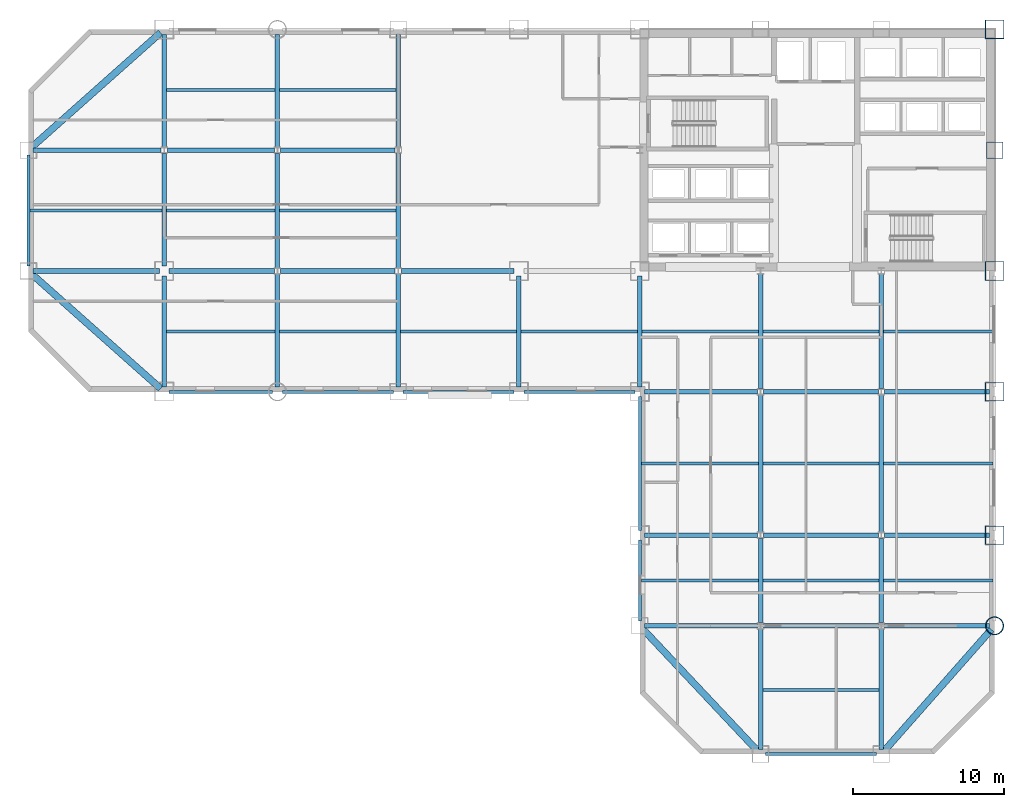
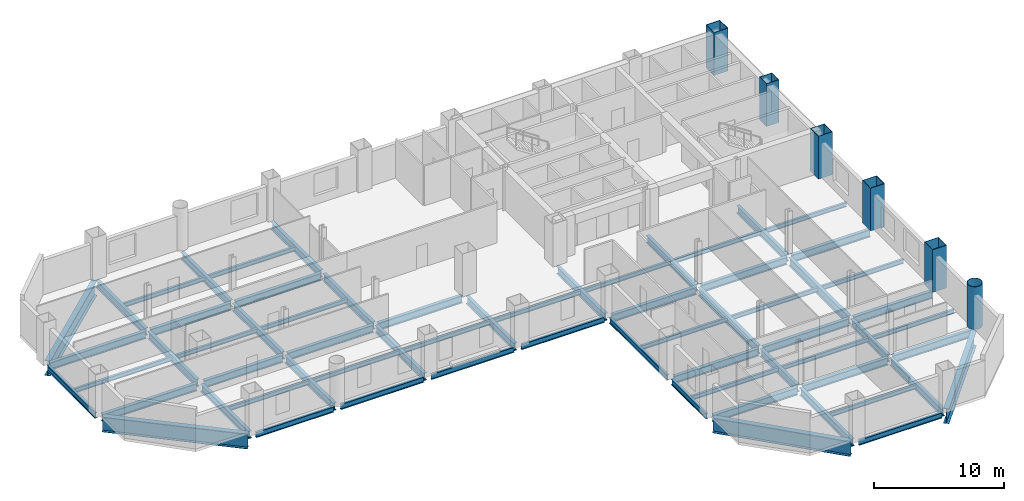
# One storey, part 3 of 9: 66 beams, 6 columns.
"""IFC4 building model written with IfcOpenShell, lengths in metres."""

from ifc_helpers import new_model, si_unit, direction, frame, origin, origin_2d, place, context, subcontext, project, spatial, hollow_rectangle, hollow_circle, i_section, extrude, material, material_profile, profile_set, type_object, element, save


model = new_model("IFC4")

# Units and contexts
model_context = context("Model", 3, precision=1e-05, world=origin(), true_north=direction((0.0, 1.0)))
body_context = subcontext(model_context, "Body", "Model", "MODEL_VIEW")
ifc_project = project(units=[si_unit("LENGTHUNIT", "METRE"), si_unit("AREAUNIT", "SQUARE_METRE"), si_unit("VOLUMEUNIT", "CUBIC_METRE"), si_unit("PLANEANGLEUNIT", "RADIAN"), si_unit("MASSUNIT", "GRAM", prefix="KILO")], contexts=[model_context])

# Site, building, storey
site_placement = place(None, origin())
site = spatial("IfcSite", under=ifc_project, at=site_placement, CompositionType="ELEMENT")
building_placement = place(site_placement, origin())
building = spatial("IfcBuilding", under=site, at=building_placement, Name="Qianrong Seaharbour Tower", CompositionType="ELEMENT")
storey_placement = place(building_placement, frame((0.0, 0.0, 72.199951171875)))
storey = spatial("IfcBuildingStorey", under=building, at=storey_placement, Name="L17", CompositionType="ELEMENT", Elevation=72.199951171875)

# Columns
ifc_material_1 = material(Name="Structural steel SN490B", Category="steel")
ifc_material_profile_1 = material_profile(ifc_material_1, hollow_rectangle(XDim=1.25, YDim=1.25, WallThickness=0.044921875, at=origin_2d()), Name="BOX1250x1250x45")
ifc_profile_set_1 = profile_set([ifc_material_profile_1], Name="Structural steel SN490B")
column_type_1 = type_object("IfcColumnType", Name="COL-CFT-1250", PredefinedType="COLUMN", material=ifc_profile_set_1)
for number, where, z_axis, x_axis, name in (
    (1, (64.0, 18.5, 0.0), (0.0, 0.0, 1.0), (1.0, 0.0, 0.0), "L17 Column MC-2 at G9/GD"),
    (2, (64.0, 28.0, 0.0), (0.0, 0.0, 1.0), (1.0, 0.0, 0.0), "L17 Column MC-2 at G9/GE"),
    (3, (64.0, 36.0, 0.0), (0.0, 0.0, 1.0), (1.0, 0.0, 0.0), "L17 Column MC-2 at G9/GF"),
    (4, (64.0, 52.0, 0.0), (0.0, 0.0, 1.0), (1.0, 0.0, 0.0), "L17 Column MC-2 at G9/GH"),
):
    element("IfcColumn", number, at=place(storey_placement, frame(where, z_axis=z_axis, x_axis=x_axis)), inside=storey, type_object=column_type_1, Name=name, PredefinedType="COLUMN", context=body_context, shape_type="SweptSolid", body=[
        extrude(hollow_rectangle(XDim=1.25, YDim=1.25, WallThickness=0.044921875, at=origin_2d()), origin(), (0.0, 0.0, 1.0), 4.0),
    ])
ifc_material_profile_2 = material_profile(ifc_material_1, hollow_circle(Radius=0.60009765625, WallThickness=0.0400390625, at=origin_2d()), Name="CHS1200x40")
ifc_profile_set_2 = profile_set([ifc_material_profile_2], Name="Structural steel SN490B")
column_type_2 = type_object("IfcColumnType", Name="COL-CHS-1200", PredefinedType="COLUMN", material=ifc_profile_set_2)
column_1_placement = place(storey_placement, frame((64.0, 12.5, 0.0), z_axis=(0.0, 0.0, 1.0), x_axis=(1.0, 0.0, 0.0)))
element("IfcColumn", 5, at=column_1_placement, inside=storey, type_object=column_type_2, Name="L17 Column CC-1 at G9/GC", PredefinedType="COLUMN", context=body_context, shape_type="SweptSolid", body=[
    extrude(hollow_circle(Radius=0.60009765625, WallThickness=0.0400390625, at=origin_2d()), origin(), (0.0, 0.0, 1.0), 4.0),
])
ifc_material_profile_3 = material_profile(ifc_material_1, hollow_rectangle(XDim=1.10009765625, YDim=1.10009765625, WallThickness=0.0400390625, at=origin_2d()), Name="BOX1100x1100x40")
ifc_profile_set_3 = profile_set([ifc_material_profile_3], Name="Structural steel SN490B")
column_type_3 = type_object("IfcColumnType", Name="COL-PER-1100", PredefinedType="COLUMN", material=ifc_profile_set_3)
column_2_placement = place(storey_placement, frame((64.0, 44.0, 0.0), z_axis=(0.0, 0.0, 1.0), x_axis=(1.0, 0.0, 0.0)))
element("IfcColumn", 6, at=column_2_placement, inside=storey, type_object=column_type_3, Name="L17 Column PC-1 at G9/GG", PredefinedType="COLUMN", context=body_context, shape_type="SweptSolid", body=[
    extrude(hollow_rectangle(XDim=1.10009765625, YDim=1.10009765625, WallThickness=0.0400390625, at=origin_2d()), origin(), (0.0, 0.0, 1.0), 4.0),
])

# Beams
ifc_material_profile_4 = material_profile(ifc_material_1, i_section(OverallWidth=0.300048828125, OverallDepth=0.699951171875, WebThickness=0.012939453125, FlangeThickness=0.02392578125, FilletRadius=0.02587890625, at=origin_2d()), Name="H700x300x13x24")
ifc_profile_set_4 = profile_set([ifc_material_profile_4], Name="Structural steel SN490B")
beam_type_1 = type_object("IfcBeamType", Name="BM-G-700", PredefinedType="BEAM", material=ifc_profile_set_4)
beam_1_placement = place(storey_placement, frame((40.820068359375, 12.5, -0.599853515625), z_axis=(1.0, 0.0, 0.0), x_axis=(0.0, 1.0, 0.0)))
element("IfcBeam", 7, at=beam_1_placement, inside=storey, type_object=beam_type_1, Name="L17 Primary Girder GC G6-G7", PredefinedType="BEAM", context=body_context, shape_type="SweptSolid", body=[
    extrude(i_section(OverallWidth=0.300048828125, OverallDepth=0.699951171875, WebThickness=0.012939453125, FlangeThickness=0.02392578125, FilletRadius=0.02587890625, at=origin_2d()), origin(), (0.0, 0.0, 1.0), 7.476318359375),
])
beam_2_placement = place(storey_placement, frame((48.70361328125, 12.5, -0.599853515625), z_axis=(1.0, 0.0, 0.0), x_axis=(0.0, 1.0, 0.0)))
element("IfcBeam", 8, at=beam_2_placement, inside=storey, type_object=beam_type_1, Name="L17 Primary Girder GC G7-G8", PredefinedType="BEAM", context=body_context, shape_type="SweptSolid", body=[
    extrude(i_section(OverallWidth=0.300048828125, OverallDepth=0.699951171875, WebThickness=0.012939453125, FlangeThickness=0.02392578125, FilletRadius=0.02587890625, at=origin_2d()), origin(), (0.0, 0.0, 1.0), 7.5927734375),
])
beam_3_placement = place(storey_placement, frame((56.70361328125, 12.5, -0.599853515625), z_axis=(1.0, 0.0, 0.0), x_axis=(0.0, 1.0, 0.0)))
element("IfcBeam", 9, at=beam_3_placement, inside=storey, type_object=beam_type_1, Name="L17 Primary Girder GC G8-G9", PredefinedType="BEAM", context=body_context, shape_type="SweptSolid", body=[
    extrude(i_section(OverallWidth=0.300048828125, OverallDepth=0.699951171875, WebThickness=0.012939453125, FlangeThickness=0.02392578125, FilletRadius=0.02587890625, at=origin_2d()), origin(), (0.0, 0.0, 1.0), 6.976318359375),
])
beam_4_placement = place(storey_placement, frame((40.820068359375, 18.5, -0.599853515625), z_axis=(1.0, 0.0, 0.0), x_axis=(0.0, 1.0, 0.0)))
element("IfcBeam", 10, at=beam_4_placement, inside=storey, type_object=beam_type_1, Name="L17 Primary Girder GD G6-G7", PredefinedType="BEAM", context=body_context, shape_type="SweptSolid", body=[
    extrude(i_section(OverallWidth=0.300048828125, OverallDepth=0.699951171875, WebThickness=0.012939453125, FlangeThickness=0.02392578125, FilletRadius=0.02587890625, at=origin_2d()), origin(), (0.0, 0.0, 1.0), 7.476318359375),
])
beam_5_placement = place(storey_placement, frame((48.70361328125, 18.5, -0.599853515625), z_axis=(1.0, 0.0, 0.0), x_axis=(0.0, 1.0, 0.0)))
element("IfcBeam", 11, at=beam_5_placement, inside=storey, type_object=beam_type_1, Name="L17 Primary Girder GD G7-G8", PredefinedType="BEAM", context=body_context, shape_type="SweptSolid", body=[
    extrude(i_section(OverallWidth=0.300048828125, OverallDepth=0.699951171875, WebThickness=0.012939453125, FlangeThickness=0.02392578125, FilletRadius=0.02587890625, at=origin_2d()), origin(), (0.0, 0.0, 1.0), 7.5927734375),
])
beam_6_placement = place(storey_placement, frame((56.70361328125, 18.5, -0.599853515625), z_axis=(1.0, 0.0, 0.0), x_axis=(0.0, 1.0, 0.0)))
element("IfcBeam", 12, at=beam_6_placement, inside=storey, type_object=beam_type_1, Name="L17 Primary Girder GD G8-G9", PredefinedType="BEAM", context=body_context, shape_type="SweptSolid", body=[
    extrude(i_section(OverallWidth=0.300048828125, OverallDepth=0.699951171875, WebThickness=0.012939453125, FlangeThickness=0.02392578125, FilletRadius=0.02587890625, at=origin_2d()), origin(), (0.0, 0.0, 1.0), 6.976318359375),
])
beam_7_placement = place(storey_placement, frame((40.820068359375, 28.0, -0.599853515625), z_axis=(1.0, 0.0, 0.0), x_axis=(0.0, 1.0, 0.0)))
element("IfcBeam", 13, at=beam_7_placement, inside=storey, type_object=beam_type_1, Name="L17 Primary Girder GE G6-G7", PredefinedType="BEAM", context=body_context, shape_type="SweptSolid", body=[
    extrude(i_section(OverallWidth=0.300048828125, OverallDepth=0.699951171875, WebThickness=0.012939453125, FlangeThickness=0.02392578125, FilletRadius=0.02587890625, at=origin_2d()), origin(), (0.0, 0.0, 1.0), 7.476318359375),
])
beam_8_placement = place(storey_placement, frame((48.70361328125, 28.0, -0.599853515625), z_axis=(1.0, 0.0, 0.0), x_axis=(0.0, 1.0, 0.0)))
element("IfcBeam", 14, at=beam_8_placement, inside=storey, type_object=beam_type_1, Name="L17 Primary Girder GE G7-G8", PredefinedType="BEAM", context=body_context, shape_type="SweptSolid", body=[
    extrude(i_section(OverallWidth=0.300048828125, OverallDepth=0.699951171875, WebThickness=0.012939453125, FlangeThickness=0.02392578125, FilletRadius=0.02587890625, at=origin_2d()), origin(), (0.0, 0.0, 1.0), 7.5927734375),
])
beam_9_placement = place(storey_placement, frame((56.70361328125, 28.0, -0.599853515625), z_axis=(1.0, 0.0, 0.0), x_axis=(0.0, 1.0, 0.0)))
element("IfcBeam", 15, at=beam_9_placement, inside=storey, type_object=beam_type_1, Name="L17 Primary Girder GE G8-G9", PredefinedType="BEAM", context=body_context, shape_type="SweptSolid", body=[
    extrude(i_section(OverallWidth=0.300048828125, OverallDepth=0.699951171875, WebThickness=0.012939453125, FlangeThickness=0.02392578125, FilletRadius=0.02587890625, at=origin_2d()), origin(), (0.0, 0.0, 1.0), 6.976318359375),
])
beam_10_placement = place(storey_placement, frame((0.320068359375, 36.0, -0.599853515625), z_axis=(1.0, 0.0, 0.0), x_axis=(0.0, 1.0, 0.0)))
element("IfcBeam", 16, at=beam_10_placement, inside=storey, type_object=beam_type_1, Name="L17 Primary Girder GF G1-G2", PredefinedType="BEAM", context=body_context, shape_type="SweptSolid", body=[
    extrude(i_section(OverallWidth=0.300048828125, OverallDepth=0.699951171875, WebThickness=0.012939453125, FlangeThickness=0.02392578125, FilletRadius=0.02587890625, at=origin_2d()), origin(), (0.0, 0.0, 1.0), 8.35986328125),
])
beam_11_placement = place(storey_placement, frame((9.320068359375, 36.0, -0.599853515625), z_axis=(1.0, 0.0, 0.0), x_axis=(0.0, 1.0, 0.0)))
element("IfcBeam", 17, at=beam_11_placement, inside=storey, type_object=beam_type_1, Name="L17 Primary Girder GF G2-G3", PredefinedType="BEAM", context=body_context, shape_type="SweptSolid", body=[
    extrude(i_section(OverallWidth=0.300048828125, OverallDepth=0.699951171875, WebThickness=0.012939453125, FlangeThickness=0.02392578125, FilletRadius=0.02587890625, at=origin_2d()), origin(), (0.0, 0.0, 1.0), 6.976318359375),
])
beam_12_placement = place(storey_placement, frame((16.70361328125, 36.0, -0.599853515625), z_axis=(1.0, 0.0, 0.0), x_axis=(0.0, 1.0, 0.0)))
element("IfcBeam", 18, at=beam_12_placement, inside=storey, type_object=beam_type_1, Name="L17 Primary Girder GF G3-G4", PredefinedType="BEAM", context=body_context, shape_type="SweptSolid", body=[
    extrude(i_section(OverallWidth=0.300048828125, OverallDepth=0.699951171875, WebThickness=0.012939453125, FlangeThickness=0.02392578125, FilletRadius=0.02587890625, at=origin_2d()), origin(), (0.0, 0.0, 1.0), 7.5927734375),
])
beam_13_placement = place(storey_placement, frame((24.70361328125, 36.0, -0.599853515625), z_axis=(1.0, 0.0, 0.0), x_axis=(0.0, 1.0, 0.0)))
element("IfcBeam", 19, at=beam_13_placement, inside=storey, type_object=beam_type_1, Name="L17 Primary Girder GF G4-G5", PredefinedType="BEAM", context=body_context, shape_type="SweptSolid", body=[
    extrude(i_section(OverallWidth=0.300048828125, OverallDepth=0.699951171875, WebThickness=0.012939453125, FlangeThickness=0.02392578125, FilletRadius=0.02587890625, at=origin_2d()), origin(), (0.0, 0.0, 1.0), 7.476318359375),
])
beam_14_placement = place(storey_placement, frame((0.320068359375, 44.0, -0.599853515625), z_axis=(1.0, 0.0, 0.0), x_axis=(0.0, 1.0, 0.0)))
element("IfcBeam", 20, at=beam_14_placement, inside=storey, type_object=beam_type_1, Name="L17 Primary Girder GG G1-G2", PredefinedType="BEAM", context=body_context, shape_type="SweptSolid", body=[
    extrude(i_section(OverallWidth=0.300048828125, OverallDepth=0.699951171875, WebThickness=0.012939453125, FlangeThickness=0.02392578125, FilletRadius=0.02587890625, at=origin_2d()), origin(), (0.0, 0.0, 1.0), 8.476318359375),
])
beam_15_placement = place(storey_placement, frame((9.20361328125, 44.0, -0.599853515625), z_axis=(1.0, 0.0, 0.0), x_axis=(0.0, 1.0, 0.0)))
element("IfcBeam", 21, at=beam_15_placement, inside=storey, type_object=beam_type_1, Name="L17 Primary Girder GG G2-G3", PredefinedType="BEAM", context=body_context, shape_type="SweptSolid", body=[
    extrude(i_section(OverallWidth=0.300048828125, OverallDepth=0.699951171875, WebThickness=0.012939453125, FlangeThickness=0.02392578125, FilletRadius=0.02587890625, at=origin_2d()), origin(), (0.0, 0.0, 1.0), 7.0927734375),
])
beam_16_placement = place(storey_placement, frame((16.70361328125, 44.0, -0.599853515625), z_axis=(1.0, 0.0, 0.0), x_axis=(0.0, 1.0, 0.0)))
element("IfcBeam", 22, at=beam_16_placement, inside=storey, type_object=beam_type_1, Name="L17 Primary Girder GG G3-G4", PredefinedType="BEAM", context=body_context, shape_type="SweptSolid", body=[
    extrude(i_section(OverallWidth=0.300048828125, OverallDepth=0.699951171875, WebThickness=0.012939453125, FlangeThickness=0.02392578125, FilletRadius=0.02587890625, at=origin_2d()), origin(), (0.0, 0.0, 1.0), 7.5927734375),
])
beam_17_placement = place(storey_placement, frame((9.0, 28.320068359375, -0.599853515625), z_axis=(0.0, 1.0, 0.0), x_axis=(-1.0, 0.0, 0.0)))
element("IfcBeam", 23, at=beam_17_placement, inside=storey, type_object=beam_type_1, Name="L17 Primary Girder G2 GE-GF", PredefinedType="BEAM", context=body_context, shape_type="SweptSolid", body=[
    extrude(i_section(OverallWidth=0.300048828125, OverallDepth=0.699951171875, WebThickness=0.012939453125, FlangeThickness=0.02392578125, FilletRadius=0.02587890625, at=origin_2d()), origin(), (0.0, 0.0, 1.0), 7.35986328125),
])
for number, where, z_axis, x_axis, name in (
    (24, (9.0, 36.320068359375, -0.599853515625), (0.0, 1.0, 0.0), (-1.0, 0.0, 0.0), "L17 Primary Girder G2 GF-GG"),
    (25, (9.0, 44.214111328125, -0.599853515625), (0.0, 1.0, 0.0), (-1.0, 0.0, 0.0), "L17 Primary Girder G2 GG-GH"),
    (26, (16.5, 28.320068359375, -0.599853515625), (0.0, 1.0, 0.0), (-1.0, 0.0, 0.0), "L17 Primary Girder G3 GE-GF"),
):
    element("IfcBeam", number, at=place(storey_placement, frame(where, z_axis=z_axis, x_axis=x_axis)), inside=storey, type_object=beam_type_1, Name=name, PredefinedType="BEAM", context=body_context, shape_type="SweptSolid", body=[
        extrude(i_section(OverallWidth=0.300048828125, OverallDepth=0.699951171875, WebThickness=0.012939453125, FlangeThickness=0.02392578125, FilletRadius=0.02587890625, at=origin_2d()), origin(), (0.0, 0.0, 1.0), 7.4658203125),
    ])
beam_18_placement = place(storey_placement, frame((16.5, 36.214111328125, -0.599853515625), z_axis=(0.0, 1.0, 0.0), x_axis=(-1.0, 0.0, 0.0)))
element("IfcBeam", 27, at=beam_18_placement, inside=storey, type_object=beam_type_1, Name="L17 Primary Girder G3 GF-GG", PredefinedType="BEAM", context=body_context, shape_type="SweptSolid", body=[
    extrude(i_section(OverallWidth=0.300048828125, OverallDepth=0.699951171875, WebThickness=0.012939453125, FlangeThickness=0.02392578125, FilletRadius=0.02587890625, at=origin_2d()), origin(), (0.0, 0.0, 1.0), 7.57177734375),
])
for number, where, z_axis, x_axis, name in (
    (28, (16.5, 44.214111328125, -0.599853515625), (0.0, 1.0, 0.0), (-1.0, 0.0, 0.0), "L17 Primary Girder G3 GG-GH"),
    (29, (24.5, 28.320068359375, -0.599853515625), (0.0, 1.0, 0.0), (-1.0, 0.0, 0.0), "L17 Primary Girder G4 GE-GF"),
):
    element("IfcBeam", number, at=place(storey_placement, frame(where, z_axis=z_axis, x_axis=x_axis)), inside=storey, type_object=beam_type_1, Name=name, PredefinedType="BEAM", context=body_context, shape_type="SweptSolid", body=[
        extrude(i_section(OverallWidth=0.300048828125, OverallDepth=0.699951171875, WebThickness=0.012939453125, FlangeThickness=0.02392578125, FilletRadius=0.02587890625, at=origin_2d()), origin(), (0.0, 0.0, 1.0), 7.4658203125),
    ])
beam_19_placement = place(storey_placement, frame((24.5, 36.214111328125, -0.599853515625), z_axis=(0.0, 1.0, 0.0), x_axis=(-1.0, 0.0, 0.0)))
element("IfcBeam", 30, at=beam_19_placement, inside=storey, type_object=beam_type_1, Name="L17 Primary Girder G4 GF-GG", PredefinedType="BEAM", context=body_context, shape_type="SweptSolid", body=[
    extrude(i_section(OverallWidth=0.300048828125, OverallDepth=0.699951171875, WebThickness=0.012939453125, FlangeThickness=0.02392578125, FilletRadius=0.02587890625, at=origin_2d()), origin(), (0.0, 0.0, 1.0), 7.57177734375),
])
beam_20_placement = place(storey_placement, frame((24.5, 44.214111328125, -0.599853515625), z_axis=(0.0, 1.0, 0.0), x_axis=(-1.0, 0.0, 0.0)))
element("IfcBeam", 31, at=beam_20_placement, inside=storey, type_object=beam_type_1, Name="L17 Primary Girder G4 GG-GH", PredefinedType="BEAM", context=body_context, shape_type="SweptSolid", body=[
    extrude(i_section(OverallWidth=0.300048828125, OverallDepth=0.699951171875, WebThickness=0.012939453125, FlangeThickness=0.02392578125, FilletRadius=0.02587890625, at=origin_2d()), origin(), (0.0, 0.0, 1.0), 7.4658203125),
])
for number, where, z_axis, x_axis, name in (
    (32, (32.5, 28.320068359375, -0.599853515625), (0.0, 1.0, 0.0), (-1.0, 0.0, 0.0), "L17 Primary Girder G5 GE-GF"),
    (33, (40.5, 28.320068359375, -0.599853515625), (0.0, 1.0, 0.0), (-1.0, 0.0, 0.0), "L17 Primary Girder G6 GE-GF"),
):
    element("IfcBeam", number, at=place(storey_placement, frame(where, z_axis=z_axis, x_axis=x_axis)), inside=storey, type_object=beam_type_1, Name=name, PredefinedType="BEAM", context=body_context, shape_type="SweptSolid", body=[
        extrude(i_section(OverallWidth=0.300048828125, OverallDepth=0.699951171875, WebThickness=0.012939453125, FlangeThickness=0.02392578125, FilletRadius=0.02587890625, at=origin_2d()), origin(), (0.0, 0.0, 1.0), 7.35986328125),
    ])
beam_21_placement = place(storey_placement, frame((48.5, 4.320068359375, -0.599853515625), z_axis=(0.0, 1.0, 0.0), x_axis=(-1.0, 0.0, 0.0)))
element("IfcBeam", 34, at=beam_21_placement, inside=storey, type_object=beam_type_1, Name="L17 Primary Girder G7 GB-GC", PredefinedType="BEAM", context=body_context, shape_type="SweptSolid", body=[
    extrude(i_section(OverallWidth=0.300048828125, OverallDepth=0.699951171875, WebThickness=0.012939453125, FlangeThickness=0.02392578125, FilletRadius=0.02587890625, at=origin_2d()), origin(), (0.0, 0.0, 1.0), 7.9658203125),
])
beam_22_placement = place(storey_placement, frame((48.5, 12.714111328125, -0.599853515625), z_axis=(0.0, 1.0, 0.0), x_axis=(-1.0, 0.0, 0.0)))
element("IfcBeam", 35, at=beam_22_placement, inside=storey, type_object=beam_type_1, Name="L17 Primary Girder G7 GC-GD", PredefinedType="BEAM", context=body_context, shape_type="SweptSolid", body=[
    extrude(i_section(OverallWidth=0.300048828125, OverallDepth=0.699951171875, WebThickness=0.012939453125, FlangeThickness=0.02392578125, FilletRadius=0.02587890625, at=origin_2d()), origin(), (0.0, 0.0, 1.0), 5.57177734375),
])
beam_23_placement = place(storey_placement, frame((48.5, 28.214111328125, -0.599853515625), z_axis=(0.0, 1.0, 0.0), x_axis=(-1.0, 0.0, 0.0)))
element("IfcBeam", 36, at=beam_23_placement, inside=storey, type_object=beam_type_1, Name="L17 Primary Girder G7 GE-GF", PredefinedType="BEAM", context=body_context, shape_type="SweptSolid", body=[
    extrude(i_section(OverallWidth=0.300048828125, OverallDepth=0.699951171875, WebThickness=0.012939453125, FlangeThickness=0.02392578125, FilletRadius=0.02587890625, at=origin_2d()), origin(), (0.0, 0.0, 1.0), 7.57177734375),
])
beam_24_placement = place(storey_placement, frame((56.5, 4.320068359375, -0.599853515625), z_axis=(0.0, 1.0, 0.0), x_axis=(-1.0, 0.0, 0.0)))
element("IfcBeam", 37, at=beam_24_placement, inside=storey, type_object=beam_type_1, Name="L17 Primary Girder G8 GB-GC", PredefinedType="BEAM", context=body_context, shape_type="SweptSolid", body=[
    extrude(i_section(OverallWidth=0.300048828125, OverallDepth=0.699951171875, WebThickness=0.012939453125, FlangeThickness=0.02392578125, FilletRadius=0.02587890625, at=origin_2d()), origin(), (0.0, 0.0, 1.0), 7.9658203125),
])
beam_25_placement = place(storey_placement, frame((56.5, 12.714111328125, -0.599853515625), z_axis=(0.0, 1.0, 0.0), x_axis=(-1.0, 0.0, 0.0)))
element("IfcBeam", 38, at=beam_25_placement, inside=storey, type_object=beam_type_1, Name="L17 Primary Girder G8 GC-GD", PredefinedType="BEAM", context=body_context, shape_type="SweptSolid", body=[
    extrude(i_section(OverallWidth=0.300048828125, OverallDepth=0.699951171875, WebThickness=0.012939453125, FlangeThickness=0.02392578125, FilletRadius=0.02587890625, at=origin_2d()), origin(), (0.0, 0.0, 1.0), 5.57177734375),
])
beam_26_placement = place(storey_placement, frame((56.5, 28.214111328125, -0.599853515625), z_axis=(0.0, 1.0, 0.0), x_axis=(-1.0, 0.0, 0.0)))
element("IfcBeam", 39, at=beam_26_placement, inside=storey, type_object=beam_type_1, Name="L17 Primary Girder G8 GE-GF", PredefinedType="BEAM", context=body_context, shape_type="SweptSolid", body=[
    extrude(i_section(OverallWidth=0.300048828125, OverallDepth=0.699951171875, WebThickness=0.012939453125, FlangeThickness=0.02392578125, FilletRadius=0.02587890625, at=origin_2d()), origin(), (0.0, 0.0, 1.0), 7.57177734375),
])
ifc_material_profile_5 = material_profile(ifc_material_1, i_section(OverallWidth=0.300048828125, OverallDepth=0.800048828125, WebThickness=0.013916015625, FlangeThickness=0.02587890625, FilletRadius=0.028076171875, at=origin_2d()), Name="H800x300x14x26")
ifc_profile_set_5 = profile_set([ifc_material_profile_5], Name="Structural steel SN490B")
beam_type_2 = type_object("IfcBeamType", Name="BM-G-800", PredefinedType="BEAM", material=ifc_profile_set_5)
for number, where, z_axis, x_axis, name in (
    (40, (48.5, 18.714111328125, -0.64990234375), (0.0, 1.0, 0.0), (-1.0, 0.0, 0.0), "L17 Primary Girder G7 GD-GE"),
    (41, (56.5, 18.714111328125, -0.64990234375), (0.0, 1.0, 0.0), (-1.0, 0.0, 0.0), "L17 Primary Girder G8 GD-GE"),
):
    element("IfcBeam", number, at=place(storey_placement, frame(where, z_axis=z_axis, x_axis=x_axis)), inside=storey, type_object=beam_type_2, Name=name, PredefinedType="BEAM", context=body_context, shape_type="SweptSolid", body=[
        extrude(i_section(OverallWidth=0.300048828125, OverallDepth=0.800048828125, WebThickness=0.013916015625, FlangeThickness=0.02587890625, FilletRadius=0.028076171875, at=origin_2d()), origin(), (0.0, 0.0, 1.0), 9.07177734375),
    ])
ifc_material_2 = material(Name="Structural steel SN400B", Category="steel")
ifc_material_profile_6 = material_profile(ifc_material_2, i_section(OverallWidth=0.199951171875, OverallDepth=0.39990234375, WebThickness=0.008056640625, FlangeThickness=0.012939453125, FilletRadius=0.01611328125, at=origin_2d()), Name="H400x200x8x13")
ifc_profile_set_6 = profile_set([ifc_material_profile_6], Name="Structural steel SN400B")
beam_type_3 = type_object("IfcBeamType", Name="BM-J-400", PredefinedType="JOIST", material=ifc_profile_set_6)
beam_27_placement = place(storey_placement, frame((0.10009765625, 40.0, -0.449951171875), z_axis=(1.0, 0.0, 0.0), x_axis=(0.0, 1.0, 0.0)))
element("IfcBeam", 42, at=beam_27_placement, inside=storey, type_object=beam_type_3, Name="L17 Composite Floor Joist G1-G2/GF-GG", PredefinedType="JOIST", context=body_context, shape_type="SweptSolid", body=[
    extrude(i_section(OverallWidth=0.199951171875, OverallDepth=0.39990234375, WebThickness=0.008056640625, FlangeThickness=0.012939453125, FilletRadius=0.01611328125, at=origin_2d()), origin(), (0.0, 0.0, 1.0), 8.75),
])
for number, where, z_axis, x_axis, name in (
    (43, (9.14990234375, 32.0, -0.449951171875), (1.0, 0.0, 0.0), (0.0, 1.0, 0.0), "L17 Composite Floor Joist G2-G3/GE-GF"),
    (44, (9.14990234375, 40.0, -0.449951171875), (1.0, 0.0, 0.0), (0.0, 1.0, 0.0), "L17 Composite Floor Joist G2-G3/GF-GG"),
    (45, (9.14990234375, 48.0, -0.449951171875), (1.0, 0.0, 0.0), (0.0, 1.0, 0.0), "L17 Composite Floor Joist G2-G3/GG-GH"),
):
    element("IfcBeam", number, at=place(storey_placement, frame(where, z_axis=z_axis, x_axis=x_axis)), inside=storey, type_object=beam_type_3, Name=name, PredefinedType="JOIST", context=body_context, shape_type="SweptSolid", body=[
        extrude(i_section(OverallWidth=0.199951171875, OverallDepth=0.39990234375, WebThickness=0.008056640625, FlangeThickness=0.012939453125, FilletRadius=0.01611328125, at=origin_2d()), origin(), (0.0, 0.0, 1.0), 7.2001953125),
    ])
for number, where, z_axis, x_axis, name in (
    (46, (16.64990234375, 32.0, -0.449951171875), (1.0, 0.0, 0.0), (0.0, 1.0, 0.0), "L17 Composite Floor Joist G3-G4/GE-GF"),
    (47, (16.64990234375, 40.0, -0.449951171875), (1.0, 0.0, 0.0), (0.0, 1.0, 0.0), "L17 Composite Floor Joist G3-G4/GF-GG"),
    (48, (16.64990234375, 48.0, -0.449951171875), (1.0, 0.0, 0.0), (0.0, 1.0, 0.0), "L17 Composite Floor Joist G3-G4/GG-GH"),
    (49, (24.64990234375, 32.0, -0.449951171875), (1.0, 0.0, 0.0), (0.0, 1.0, 0.0), "L17 Composite Floor Joist G4-G5/GE-GF"),
    (50, (32.64990234375, 32.0, -0.449951171875), (1.0, 0.0, 0.0), (0.0, 1.0, 0.0), "L17 Composite Floor Joist G5-G6/GE-GF"),
):
    element("IfcBeam", number, at=place(storey_placement, frame(where, z_axis=z_axis, x_axis=x_axis)), inside=storey, type_object=beam_type_3, Name=name, PredefinedType="JOIST", context=body_context, shape_type="SweptSolid", body=[
        extrude(i_section(OverallWidth=0.199951171875, OverallDepth=0.39990234375, WebThickness=0.008056640625, FlangeThickness=0.012939453125, FilletRadius=0.01611328125, at=origin_2d()), origin(), (0.0, 0.0, 1.0), 7.7001953125),
    ])
for number, where, z_axis, x_axis, name in (
    (51, (40.60009765625, 15.5, -0.449951171875), (1.0, 0.0, 0.0), (0.0, 1.0, 0.0), "L17 Composite Floor Joist G6-G7/GC-GD"),
    (52, (40.60009765625, 23.25, -0.449951171875), (1.0, 0.0, 0.0), (0.0, 1.0, 0.0), "L17 Composite Floor Joist G6-G7/GD-GE"),
):
    element("IfcBeam", number, at=place(storey_placement, frame(where, z_axis=z_axis, x_axis=x_axis)), inside=storey, type_object=beam_type_3, Name=name, PredefinedType="JOIST", context=body_context, shape_type="SweptSolid", body=[
        extrude(i_section(OverallWidth=0.199951171875, OverallDepth=0.39990234375, WebThickness=0.008056640625, FlangeThickness=0.012939453125, FilletRadius=0.01611328125, at=origin_2d()), origin(), (0.0, 0.0, 1.0), 7.75),
    ])
for number, where, z_axis, x_axis, name in (
    (53, (40.64990234375, 32.0, -0.449951171875), (1.0, 0.0, 0.0), (0.0, 1.0, 0.0), "L17 Composite Floor Joist G6-G7/GE-GF"),
    (54, (48.64990234375, 8.25, -0.449951171875), (1.0, 0.0, 0.0), (0.0, 1.0, 0.0), "L17 Composite Floor Joist G7-G8/GB-GC"),
    (55, (48.64990234375, 15.5, -0.449951171875), (1.0, 0.0, 0.0), (0.0, 1.0, 0.0), "L17 Composite Floor Joist G7-G8/GC-GD"),
    (56, (48.64990234375, 23.25, -0.449951171875), (1.0, 0.0, 0.0), (0.0, 1.0, 0.0), "L17 Composite Floor Joist G7-G8/GD-GE"),
    (57, (48.64990234375, 32.0, -0.449951171875), (1.0, 0.0, 0.0), (0.0, 1.0, 0.0), "L17 Composite Floor Joist G7-G8/GE-GF"),
):
    element("IfcBeam", number, at=place(storey_placement, frame(where, z_axis=z_axis, x_axis=x_axis)), inside=storey, type_object=beam_type_3, Name=name, PredefinedType="JOIST", context=body_context, shape_type="SweptSolid", body=[
        extrude(i_section(OverallWidth=0.199951171875, OverallDepth=0.39990234375, WebThickness=0.008056640625, FlangeThickness=0.012939453125, FilletRadius=0.01611328125, at=origin_2d()), origin(), (0.0, 0.0, 1.0), 7.7001953125),
    ])
for number, where, z_axis, x_axis, name in (
    (58, (56.64990234375, 15.5, -0.449951171875), (1.0, 0.0, 0.0), (0.0, 1.0, 0.0), "L17 Composite Floor Joist G8-G9/GC-GD"),
    (59, (56.64990234375, 23.25, -0.449951171875), (1.0, 0.0, 0.0), (0.0, 1.0, 0.0), "L17 Composite Floor Joist G8-G9/GD-GE"),
    (60, (56.64990234375, 32.0, -0.449951171875), (1.0, 0.0, 0.0), (0.0, 1.0, 0.0), "L17 Composite Floor Joist G8-G9/GE-GF"),
):
    element("IfcBeam", number, at=place(storey_placement, frame(where, z_axis=z_axis, x_axis=x_axis)), inside=storey, type_object=beam_type_3, Name=name, PredefinedType="JOIST", context=body_context, shape_type="SweptSolid", body=[
        extrude(i_section(OverallWidth=0.199951171875, OverallDepth=0.39990234375, WebThickness=0.008056640625, FlangeThickness=0.012939453125, FilletRadius=0.01611328125, at=origin_2d()), origin(), (0.0, 0.0, 1.0), 7.25),
    ])
ifc_material_profile_7 = material_profile(ifc_material_1, i_section(OverallWidth=0.199951171875, OverallDepth=0.5, WebThickness=0.010009765625, FlangeThickness=0.01611328125, FilletRadius=0.02001953125, at=origin_2d()), Name="H500x200x10x16")
ifc_profile_set_7 = profile_set([ifc_material_profile_7], Name="Structural steel SN490B")
beam_type_4 = type_object("IfcBeamType", Name="BM-SP-500", PredefinedType="SPANDREL", material=ifc_profile_set_7)
beam_28_placement = place(storey_placement, frame((48.820068359375, 4.0, -0.5), z_axis=(1.0, 0.0, 0.0), x_axis=(0.0, 1.0, 0.0)))
element("IfcBeam", 61, at=beam_28_placement, inside=storey, type_object=beam_type_4, Name="L17 Spandrel Girder GB G7-G8", PredefinedType="SPANDREL", context=body_context, shape_type="SweptSolid", body=[
    extrude(i_section(OverallWidth=0.199951171875, OverallDepth=0.5, WebThickness=0.010009765625, FlangeThickness=0.01611328125, FilletRadius=0.02001953125, at=origin_2d()), origin(), (0.0, 0.0, 1.0), 7.35986328125),
])
beam_29_placement = place(storey_placement, frame((9.320068359375, 28.0, -0.5), z_axis=(1.0, 0.0, 0.0), x_axis=(0.0, 1.0, 0.0)))
element("IfcBeam", 62, at=beam_29_placement, inside=storey, type_object=beam_type_4, Name="L17 Spandrel Girder GE G2-G3", PredefinedType="SPANDREL", context=body_context, shape_type="SweptSolid", body=[
    extrude(i_section(OverallWidth=0.199951171875, OverallDepth=0.5, WebThickness=0.010009765625, FlangeThickness=0.01611328125, FilletRadius=0.02001953125, at=origin_2d()), origin(), (0.0, 0.0, 1.0), 6.85986328125),
])
for number, where, z_axis, x_axis, name in (
    (63, (16.820068359375, 28.0, -0.5), (1.0, 0.0, 0.0), (0.0, 1.0, 0.0), "L17 Spandrel Girder GE G3-G4"),
    (64, (24.820068359375, 28.0, -0.5), (1.0, 0.0, 0.0), (0.0, 1.0, 0.0), "L17 Spandrel Girder GE G4-G5"),
    (65, (32.820068359375, 28.0, -0.5), (1.0, 0.0, 0.0), (0.0, 1.0, 0.0), "L17 Spandrel Girder GE G5-G6"),
    (66, (0.0, 36.320068359375, -0.5), (0.0, 1.0, 0.0), (-1.0, 0.0, 0.0), "L17 Spandrel Girder G1 GF-GG"),
):
    element("IfcBeam", number, at=place(storey_placement, frame(where, z_axis=z_axis, x_axis=x_axis)), inside=storey, type_object=beam_type_4, Name=name, PredefinedType="SPANDREL", context=body_context, shape_type="SweptSolid", body=[
        extrude(i_section(OverallWidth=0.199951171875, OverallDepth=0.5, WebThickness=0.010009765625, FlangeThickness=0.01611328125, FilletRadius=0.02001953125, at=origin_2d()), origin(), (0.0, 0.0, 1.0), 7.35986328125),
    ])
beam_30_placement = place(storey_placement, frame((40.5, 12.820068359375, -0.5), z_axis=(0.0, 1.0, 0.0), x_axis=(-1.0, 0.0, 0.0)))
element("IfcBeam", 67, at=beam_30_placement, inside=storey, type_object=beam_type_4, Name="L17 Spandrel Girder G6 GC-GD", PredefinedType="SPANDREL", context=body_context, shape_type="SweptSolid", body=[
    extrude(i_section(OverallWidth=0.199951171875, OverallDepth=0.5, WebThickness=0.010009765625, FlangeThickness=0.01611328125, FilletRadius=0.02001953125, at=origin_2d()), origin(), (0.0, 0.0, 1.0), 5.35986328125),
])
beam_31_placement = place(storey_placement, frame((40.5, 18.820068359375, -0.5), z_axis=(0.0, 1.0, 0.0), x_axis=(-1.0, 0.0, 0.0)))
element("IfcBeam", 68, at=beam_31_placement, inside=storey, type_object=beam_type_4, Name="L17 Spandrel Girder G6 GD-GE", PredefinedType="SPANDREL", context=body_context, shape_type="SweptSolid", body=[
    extrude(i_section(OverallWidth=0.199951171875, OverallDepth=0.5, WebThickness=0.010009765625, FlangeThickness=0.01611328125, FilletRadius=0.02001953125, at=origin_2d()), origin(), (0.0, 0.0, 1.0), 8.85986328125),
])
ifc_material_profile_8 = material_profile(ifc_material_1, i_section(OverallWidth=0.449951171875, OverallDepth=1.39990234375, WebThickness=0.02197265625, FlangeThickness=0.0400390625, at=origin_2d()), Name="BH1400x450x22x40")
ifc_profile_set_8 = profile_set([ifc_material_profile_8], Name="Structural steel SN490B")
beam_type_5 = type_object("IfcBeamType", Name="BM-TG-1400", PredefinedType="BEAM", material=ifc_profile_set_8)
for number, where, z_axis, x_axis, name in (
    (69, (8.7607421875, 28.212646484375, -0.949951171875), (-0.747406955841, 0.664366497018, 0.0), (-0.664366497018, -0.747406955841, 0.0), "L17 Chamfer Corner Spandrel Girder G1/GE"),
    (70, (8.7607421875, 51.787353515625, -0.949951171875), (-0.747406955841, -0.664366497018, 0.0), (0.664366497018, -0.747406955841, 0.0), "L17 Chamfer Corner Spandrel Girder G1/GH"),
):
    element("IfcBeam", number, at=place(storey_placement, frame(where, z_axis=z_axis, x_axis=x_axis)), inside=storey, type_object=beam_type_5, Name=name, PredefinedType="BEAM", context=body_context, shape_type="SweptSolid", body=[
        extrude(i_section(OverallWidth=0.449951171875, OverallDepth=1.39990234375, WebThickness=0.02197265625, FlangeThickness=0.0400390625, at=origin_2d()), origin(), (0.0, 0.0, 1.0), 11.4013671875),
    ])
beam_32_placement = place(storey_placement, frame((48.28076171875, 4.23291015625, -0.949951171875), z_axis=(-0.685361938021, 0.728202591256, 0.0), x_axis=(-0.728202591256, -0.685361938021, 0.0)))
element("IfcBeam", 71, at=beam_32_placement, inside=storey, type_object=beam_type_5, Name="L17 Chamfer Corner Spandrel Girder G6/GB", PredefinedType="BEAM", context=body_context, shape_type="SweptSolid", body=[
    extrude(i_section(OverallWidth=0.449951171875, OverallDepth=1.39990234375, WebThickness=0.02197265625, FlangeThickness=0.0400390625, at=origin_2d()), origin(), (0.0, 0.0, 1.0), 11.032958984375),
])
beam_33_placement = place(storey_placement, frame((56.711669921875, 4.239990234375, -0.949951171875), z_axis=(0.661630696334, 0.749829861815, 0.0), x_axis=(-0.749829861815, 0.661630696334, 0.0)))
element("IfcBeam", 72, at=beam_33_placement, inside=storey, type_object=beam_type_5, Name="L17 Chamfer Corner Spandrel Girder G9/GB", PredefinedType="BEAM", context=body_context, shape_type="SweptSolid", body=[
    extrude(i_section(OverallWidth=0.449951171875, OverallDepth=1.39990234375, WebThickness=0.02197265625, FlangeThickness=0.0400390625, at=origin_2d()), origin(), (0.0, 0.0, 1.0), 10.69580078125),
])

save(model, "model.ifc")
